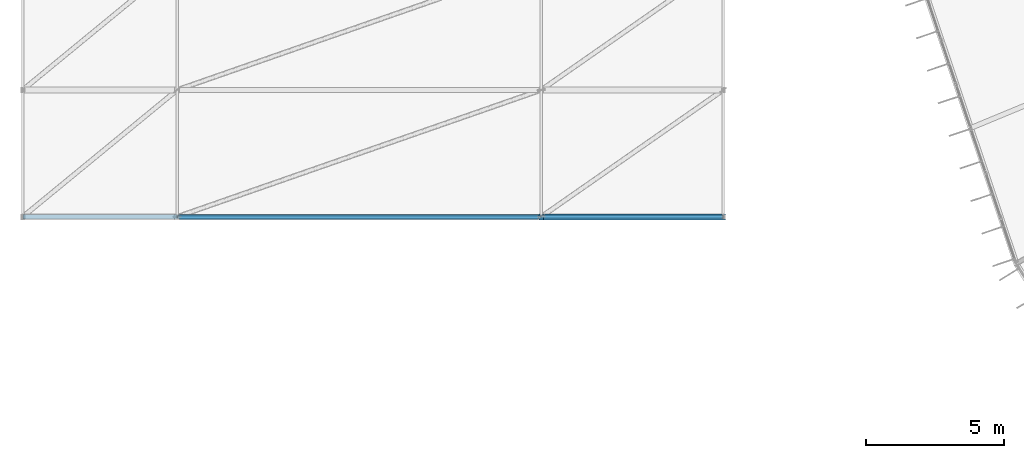
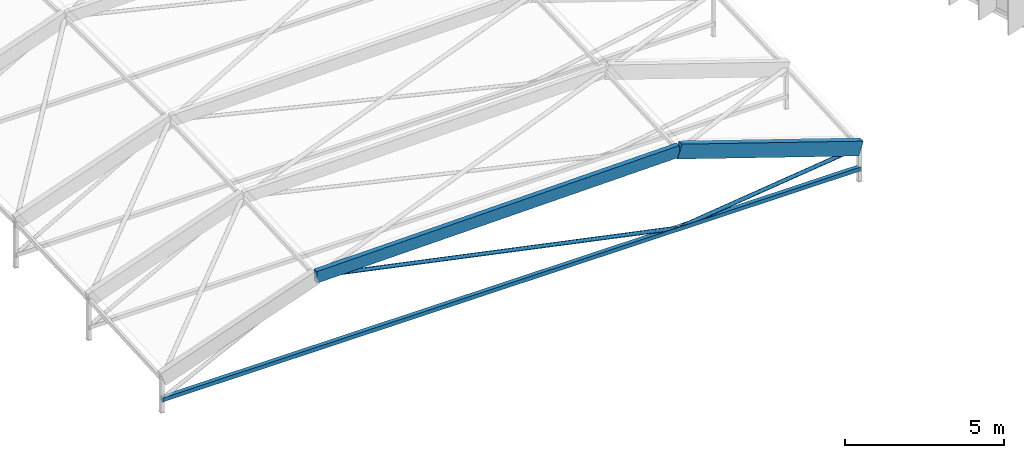
# One storey, part 19 of 134: 5 members.
"""IFC4 building model written with IfcOpenShell, lengths in metres."""

from ifc_helpers import new_model, si_unit, direction, frame, origin, origin_2d, place, context, subcontext, project, spatial, rectangle, hollow_rectangle, hollow_circle, extrude, material, material_profile, profile_set, type_object, element, save


model = new_model("IFC4")

# Units and contexts
model_context = context("Model", 3, precision=1e-05, world=origin(), true_north=direction((0.0, 1.0)))
body_context = subcontext(model_context, "Body", "Model", "MODEL_VIEW")
ifc_project = project(units=[si_unit("LENGTHUNIT", "METRE"), si_unit("AREAUNIT", "SQUARE_METRE"), si_unit("VOLUMEUNIT", "CUBIC_METRE"), si_unit("PLANEANGLEUNIT", "RADIAN"), si_unit("MASSUNIT", "GRAM", prefix="KILO")], contexts=[model_context])

# Site, building, storey
site_placement = place(None, origin())
site = spatial("IfcSite", under=ifc_project, at=site_placement, CompositionType="ELEMENT")
building_placement = place(site_placement, origin())
building = spatial("IfcBuilding", under=site, at=building_placement, Name="Karori Crest Natural Sciences Institute", CompositionType="ELEMENT")
storey_placement = place(building_placement, frame((0.0, 0.0, 21.699951171875)))
storey = spatial("IfcBuildingStorey", under=building, at=storey_placement, Name="L05", CompositionType="ELEMENT", Elevation=21.699951171875)

# Members
ifc_material_1 = material(Name="Hollow structural steel AS/NZS 1163 Grade C350", Category="steel")
ifc_material_profile_1 = material_profile(ifc_material_1, hollow_rectangle(XDim=0.14990234375, YDim=0.14990234375, WallThickness=0.009033203125, at=origin_2d()), Name="SHS150x150x9")
ifc_profile_set_1 = profile_set([ifc_material_profile_1], Name="Hollow structural steel AS/NZS 1163 Grade C350")
member_type_1 = type_object("IfcMemberType", Name="MT-13-IL", PredefinedType="CHORD", material=ifc_profile_set_1)
member_1_placement = place(storey_placement, frame((1.800048828125, 31.199951171875, 0.1201171875), z_axis=(1.0, 0.0, 0.0), x_axis=(0.0, 1.0, 0.0)))
element("IfcMember", 1, at=member_1_placement, inside=storey, type_object=member_type_1, Name="Member M-0353", PredefinedType="CHORD", context=body_context, shape_type="SweptSolid", body=[
    extrude(hollow_rectangle(XDim=0.14990234375, YDim=0.14990234375, WallThickness=0.009033203125, at=origin_2d()), origin(), (0.0, 0.0, 1.0), 25.39990234375),
])
ifc_material_2 = material(Name="Glulam GL12", Category="wood")
ifc_material_profile_2 = material_profile(ifc_material_2, rectangle(XDim=0.215087890625, YDim=0.5400390625, at=origin_2d()), Name="GL215x540")
ifc_profile_set_2 = profile_set([ifc_material_profile_2], Name="Glulam GL12")
member_type_2 = type_object("IfcMemberType", Name="MT-16", PredefinedType="USERDEFINED", material=ifc_profile_set_2)
member_2_placement = place(storey_placement, frame((20.60009765625, 31.199951171875, 3.12255859375), z_axis=(0.948998771318, 0.0, -0.315279767884), x_axis=(0.0, 1.0, 0.0)))
element("IfcMember", 2, at=member_2_placement, inside=storey, type_object=member_type_2, Name="Member M-0362", ObjectType="ARCH_SEGMENT", PredefinedType="USERDEFINED", context=body_context, shape_type="SweptSolid", body=[
    extrude(rectangle(XDim=0.215087890625, YDim=0.5400390625, at=origin_2d()), origin(), (0.0, 0.0, 1.0), 6.95458984375),
])
ifc_material_profile_3 = material_profile(ifc_material_2, rectangle(XDim=0.179931640625, YDim=0.449951171875, at=origin_2d()), Name="GL180x450")
ifc_profile_set_3 = profile_set([ifc_material_profile_3], Name="Glulam GL12")
member_type_3 = type_object("IfcMemberType", Name="MT-17", PredefinedType="USERDEFINED", material=ifc_profile_set_3)
member_3_placement = place(storey_placement, frame((7.39990234375, 31.199951171875, 2.88916015625), z_axis=(0.999843720015, 0.0, 0.017678674934), x_axis=(0.0, 1.0, 0.0)))
element("IfcMember", 3, at=member_3_placement, inside=storey, type_object=member_type_3, Name="Member M-0358", ObjectType="ARCH_SEGMENT", PredefinedType="USERDEFINED", context=body_context, shape_type="SweptSolid", body=[
    extrude(rectangle(XDim=0.179931640625, YDim=0.449951171875, at=origin_2d()), origin(), (0.0, 0.0, 1.0), 13.2021484375),
])
ifc_material_profile_4 = material_profile(ifc_material_1, hollow_circle(Radius=0.06982421875, WallThickness=0.00634765625, at=origin_2d()), Name="CHS139.7x6.4")
ifc_profile_set_4 = profile_set([ifc_material_profile_4], Name="Hollow structural steel AS/NZS 1163 Grade C350")
member_type_4 = type_object("IfcMemberType", Name="MT-18-IL", PredefinedType="STRUT", material=ifc_profile_set_4)
member_4_placement = place(storey_placement, frame((20.60009765625, 31.199951171875, 0.1201171875), z_axis=(-0.978698181322, 0.0, 0.205304334774), x_axis=(0.0, -1.0, 0.0)))
element("IfcMember", 4, at=member_4_placement, inside=storey, type_object=member_type_4, Name="Member M-0359", PredefinedType="STRUT", context=body_context, shape_type="SweptSolid", body=[
    extrude(hollow_circle(Radius=0.06982421875, WallThickness=0.00634765625, at=origin_2d()), origin(), (0.0, 0.0, 1.0), 13.487548828125),
])
member_5_placement = place(storey_placement, frame((20.60009765625, 31.199951171875, 0.1201171875), z_axis=(0.992556074715, 0.0, 0.121788499235), x_axis=(0.0, 1.0, 0.0)))
element("IfcMember", 5, at=member_5_placement, inside=storey, type_object=member_type_4, Name="Member M-0363", PredefinedType="STRUT", context=body_context, shape_type="SweptSolid", body=[
    extrude(hollow_circle(Radius=0.06982421875, WallThickness=0.00634765625, at=origin_2d()), origin(), (0.0, 0.0, 1.0), 6.6494140625),
])

save(model, "model.ifc")
